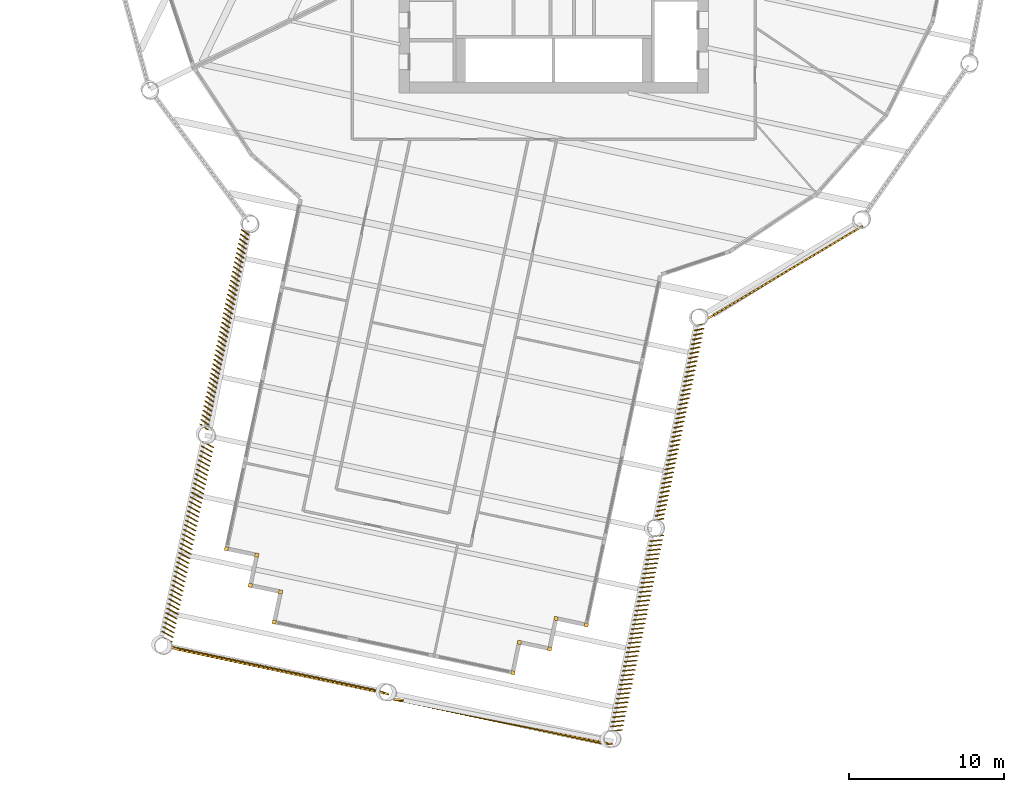
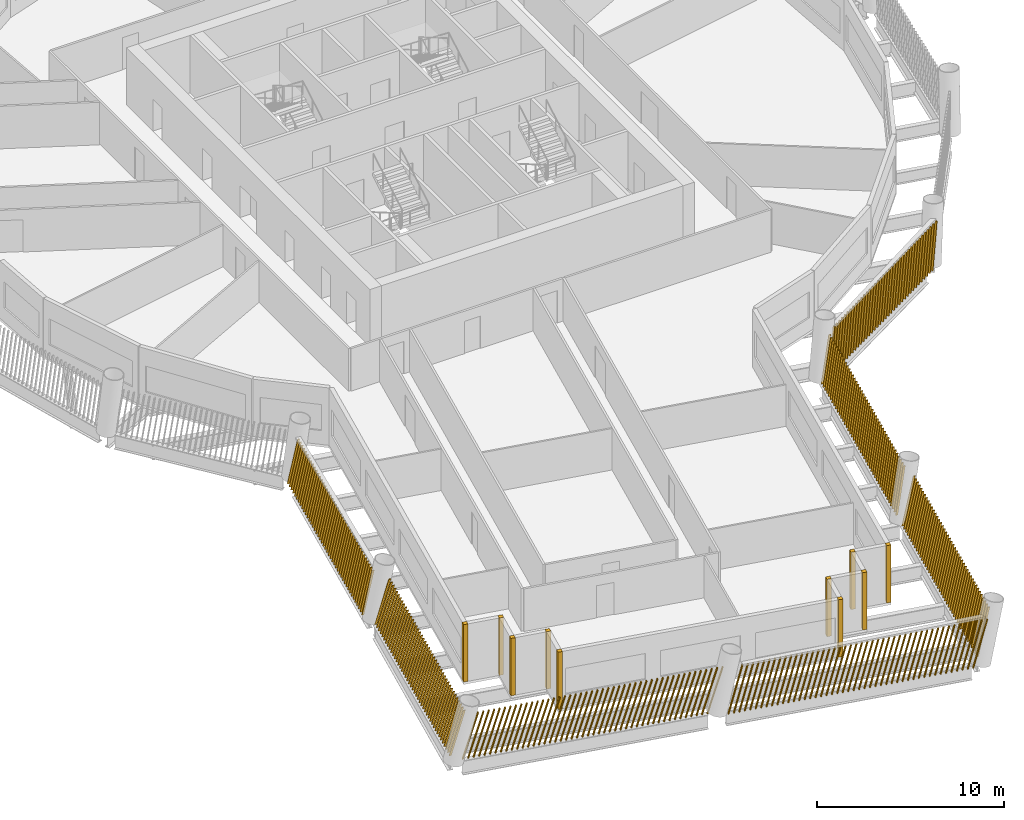
# One storey, part 11 of 15: 17 shading devices.
"""IFC4 building model written with IfcOpenShell, lengths in metres."""

from ifc_helpers import new_model, si_unit, direction, frame, frame_2d, origin, origin_2d, place, context, subcontext, project, spatial, rectangle, composite_profile, extrude, material, type_object, element, save


model = new_model("IFC4")

# Units and contexts
model_context = context("Model", 3, precision=1e-05, world=origin(), true_north=direction((0.0, 1.0)))
body_context = subcontext(model_context, "Body", "Model", "MODEL_VIEW")
ifc_project = project(units=[si_unit("LENGTHUNIT", "METRE"), si_unit("AREAUNIT", "SQUARE_METRE"), si_unit("VOLUMEUNIT", "CUBIC_METRE"), si_unit("PLANEANGLEUNIT", "RADIAN"), si_unit("MASSUNIT", "GRAM", prefix="KILO")], contexts=[model_context])

# Site, building, storey
site_placement = place(None, origin())
site = spatial("IfcSite", under=ifc_project, at=site_placement, CompositionType="ELEMENT")
building_placement = place(site_placement, origin())
building = spatial("IfcBuilding", under=site, at=building_placement, Name="Tarsis Ring Headquarters", CompositionType="ELEMENT")
storey_placement = place(building_placement, frame((0.0, 0.0, 174.89990234375)))
storey = spatial("IfcBuildingStorey", under=building, at=storey_placement, Name="L40", CompositionType="ELEMENT", Elevation=174.89990234375)

# Shading devices
ifc_material = material(Name="Terracotta baguette", Category="masonry")
shading_device_type_1 = type_object("IfcShadingDeviceType", Name="Terracotta baguette screen", PredefinedType="USERDEFINED", material=ifc_material)
shading_device_1_placement = place(storey_placement, frame((-20.12890625, -21.79736328125, 0.0), z_axis=(0.0, 0.0, 1.0), x_axis=(-0.207239767631, -0.978295835147, 0.0)))
element("IfcShadingDevice", 1, at=shading_device_1_placement, inside=storey, type_object=shading_device_type_1, Name="Baguette screen L40-01", ObjectType="Terracotta baguette screen", PredefinedType="USERDEFINED", context=body_context, shape_type="SweptSolid", body=[
    extrude(composite_profile([rectangle(XDim=0.06005859375, YDim=0.1201171875, at=frame_2d((0.030029296875, 0.0))), rectangle(XDim=0.06005859375, YDim=0.1201171875, at=frame_2d((0.335693359375, 0.0))), rectangle(XDim=0.06005859375, YDim=0.1201171875, at=frame_2d((0.6416015625, 0.0))), rectangle(XDim=0.06005859375, YDim=0.1201171875, at=frame_2d((0.947265625, 0.0))), rectangle(XDim=0.06005859375, YDim=0.1201171875, at=frame_2d((1.253173828125, 0.0))), rectangle(XDim=0.06005859375, YDim=0.1201171875, at=frame_2d((1.558837890625, 0.0))), rectangle(XDim=0.06005859375, YDim=0.1201171875, at=frame_2d((1.864501953125, 0.0))), rectangle(XDim=0.06005859375, YDim=0.1201171875, at=frame_2d((2.17041015625, 0.0))), rectangle(XDim=0.06005859375, YDim=0.1201171875, at=frame_2d((2.47607421875, 0.0))), rectangle(XDim=0.06005859375, YDim=0.1201171875, at=frame_2d((2.781982421875, 0.0))), rectangle(XDim=0.06005859375, YDim=0.1201171875, at=frame_2d((3.087646484375, 0.0))), rectangle(XDim=0.06005859375, YDim=0.1201171875, at=frame_2d((3.393310546875, 0.0))), rectangle(XDim=0.06005859375, YDim=0.1201171875, at=frame_2d((3.69921875, 0.0))), rectangle(XDim=0.06005859375, YDim=0.1201171875, at=frame_2d((4.0048828125, 0.0))), rectangle(XDim=0.06005859375, YDim=0.1201171875, at=frame_2d((4.310791015625, 0.0))), rectangle(XDim=0.06005859375, YDim=0.1201171875, at=frame_2d((4.616455078125, 0.0))), rectangle(XDim=0.06005859375, YDim=0.1201171875, at=frame_2d((4.922119140625, 0.0))), rectangle(XDim=0.06005859375, YDim=0.1201171875, at=frame_2d((5.22802734375, 0.0))), rectangle(XDim=0.06005859375, YDim=0.1201171875, at=frame_2d((5.53369140625, 0.0))), rectangle(XDim=0.06005859375, YDim=0.1201171875, at=frame_2d((5.839599609375, 0.0))), rectangle(XDim=0.06005859375, YDim=0.1201171875, at=frame_2d((6.145263671875, 0.0))), rectangle(XDim=0.06005859375, YDim=0.1201171875, at=frame_2d((6.451171875, 0.0))), rectangle(XDim=0.06005859375, YDim=0.1201171875, at=frame_2d((6.7568359375, 0.0))), rectangle(XDim=0.06005859375, YDim=0.1201171875, at=frame_2d((7.0625, 0.0))), rectangle(XDim=0.06005859375, YDim=0.1201171875, at=frame_2d((7.368408203125, 0.0))), rectangle(XDim=0.06005859375, YDim=0.1201171875, at=frame_2d((7.674072265625, 0.0))), rectangle(XDim=0.06005859375, YDim=0.1201171875, at=frame_2d((7.97998046875, 0.0))), rectangle(XDim=0.06005859375, YDim=0.1201171875, at=frame_2d((8.28564453125, 0.0))), rectangle(XDim=0.06005859375, YDim=0.1201171875, at=frame_2d((8.59130859375, 0.0))), rectangle(XDim=0.06005859375, YDim=0.1201171875, at=frame_2d((8.897216796875, 0.0))), rectangle(XDim=0.06005859375, YDim=0.1201171875, at=frame_2d((9.202880859375, 0.0))), rectangle(XDim=0.06005859375, YDim=0.1201171875, at=frame_2d((9.5087890625, 0.0))), rectangle(XDim=0.06005859375, YDim=0.1201171875, at=frame_2d((9.814453125, 0.0))), rectangle(XDim=0.06005859375, YDim=0.1201171875, at=frame_2d((10.1201171875, 0.0))), rectangle(XDim=0.06005859375, YDim=0.1201171875, at=frame_2d((10.426025390625, 0.0))), rectangle(XDim=0.06005859375, YDim=0.1201171875, at=frame_2d((10.731689453125, 0.0))), rectangle(XDim=0.06005859375, YDim=0.1201171875, at=frame_2d((11.03759765625, 0.0))), rectangle(XDim=0.06005859375, YDim=0.1201171875, at=frame_2d((11.34326171875, 0.0))), rectangle(XDim=0.06005859375, YDim=0.1201171875, at=frame_2d((11.64892578125, 0.0))), rectangle(XDim=0.06005859375, YDim=0.1201171875, at=frame_2d((11.954833984375, 0.0))), rectangle(XDim=0.06005859375, YDim=0.1201171875, at=frame_2d((12.260498046875, 0.0))), rectangle(XDim=0.06005859375, YDim=0.1201171875, at=frame_2d((12.56640625, 0.0))), rectangle(XDim=0.06005859375, YDim=0.1201171875, at=frame_2d((12.8720703125, 0.0)))]), origin(), (0.078084785349, 0.167776716183, 0.982727703794), 3.001953125),
])
shading_device_2_placement = place(storey_placement, frame((-22.64306640625, -35.4755859375, 0.0), z_axis=(0.0, 0.0, 1.0), x_axis=(-0.207239767631, -0.978295835147, 0.0)))
element("IfcShadingDevice", 2, at=shading_device_2_placement, inside=storey, type_object=shading_device_type_1, Name="Baguette screen L40-02", ObjectType="Terracotta baguette screen", PredefinedType="USERDEFINED", context=body_context, shape_type="SweptSolid", body=[
    extrude(composite_profile([rectangle(XDim=0.06005859375, YDim=0.1201171875, at=frame_2d((0.030029296875, 0.0))), rectangle(XDim=0.06005859375, YDim=0.1201171875, at=frame_2d((0.335693359375, 0.0))), rectangle(XDim=0.06005859375, YDim=0.1201171875, at=frame_2d((0.6416015625, 0.0))), rectangle(XDim=0.06005859375, YDim=0.1201171875, at=frame_2d((0.947265625, 0.0))), rectangle(XDim=0.06005859375, YDim=0.1201171875, at=frame_2d((1.253173828125, 0.0))), rectangle(XDim=0.06005859375, YDim=0.1201171875, at=frame_2d((1.558837890625, 0.0))), rectangle(XDim=0.06005859375, YDim=0.1201171875, at=frame_2d((1.864501953125, 0.0))), rectangle(XDim=0.06005859375, YDim=0.1201171875, at=frame_2d((2.17041015625, 0.0))), rectangle(XDim=0.06005859375, YDim=0.1201171875, at=frame_2d((2.47607421875, 0.0))), rectangle(XDim=0.06005859375, YDim=0.1201171875, at=frame_2d((2.781982421875, 0.0))), rectangle(XDim=0.06005859375, YDim=0.1201171875, at=frame_2d((3.087646484375, 0.0))), rectangle(XDim=0.06005859375, YDim=0.1201171875, at=frame_2d((3.393310546875, 0.0))), rectangle(XDim=0.06005859375, YDim=0.1201171875, at=frame_2d((3.69921875, 0.0))), rectangle(XDim=0.06005859375, YDim=0.1201171875, at=frame_2d((4.0048828125, 0.0))), rectangle(XDim=0.06005859375, YDim=0.1201171875, at=frame_2d((4.310791015625, 0.0))), rectangle(XDim=0.06005859375, YDim=0.1201171875, at=frame_2d((4.616455078125, 0.0))), rectangle(XDim=0.06005859375, YDim=0.1201171875, at=frame_2d((4.922119140625, 0.0))), rectangle(XDim=0.06005859375, YDim=0.1201171875, at=frame_2d((5.22802734375, 0.0))), rectangle(XDim=0.06005859375, YDim=0.1201171875, at=frame_2d((5.53369140625, 0.0))), rectangle(XDim=0.06005859375, YDim=0.1201171875, at=frame_2d((5.839599609375, 0.0))), rectangle(XDim=0.06005859375, YDim=0.1201171875, at=frame_2d((6.145263671875, 0.0))), rectangle(XDim=0.06005859375, YDim=0.1201171875, at=frame_2d((6.451171875, 0.0))), rectangle(XDim=0.06005859375, YDim=0.1201171875, at=frame_2d((6.7568359375, 0.0))), rectangle(XDim=0.06005859375, YDim=0.1201171875, at=frame_2d((7.0625, 0.0))), rectangle(XDim=0.06005859375, YDim=0.1201171875, at=frame_2d((7.368408203125, 0.0))), rectangle(XDim=0.06005859375, YDim=0.1201171875, at=frame_2d((7.674072265625, 0.0))), rectangle(XDim=0.06005859375, YDim=0.1201171875, at=frame_2d((7.97998046875, 0.0))), rectangle(XDim=0.06005859375, YDim=0.1201171875, at=frame_2d((8.28564453125, 0.0))), rectangle(XDim=0.06005859375, YDim=0.1201171875, at=frame_2d((8.59130859375, 0.0))), rectangle(XDim=0.06005859375, YDim=0.1201171875, at=frame_2d((8.897216796875, 0.0))), rectangle(XDim=0.06005859375, YDim=0.1201171875, at=frame_2d((9.202880859375, 0.0))), rectangle(XDim=0.06005859375, YDim=0.1201171875, at=frame_2d((9.5087890625, 0.0))), rectangle(XDim=0.06005859375, YDim=0.1201171875, at=frame_2d((9.814453125, 0.0))), rectangle(XDim=0.06005859375, YDim=0.1201171875, at=frame_2d((10.1201171875, 0.0))), rectangle(XDim=0.06005859375, YDim=0.1201171875, at=frame_2d((10.426025390625, 0.0))), rectangle(XDim=0.06005859375, YDim=0.1201171875, at=frame_2d((10.731689453125, 0.0))), rectangle(XDim=0.06005859375, YDim=0.1201171875, at=frame_2d((11.03759765625, 0.0))), rectangle(XDim=0.06005859375, YDim=0.1201171875, at=frame_2d((11.34326171875, 0.0))), rectangle(XDim=0.06005859375, YDim=0.1201171875, at=frame_2d((11.64892578125, 0.0))), rectangle(XDim=0.06005859375, YDim=0.1201171875, at=frame_2d((11.954833984375, 0.0))), rectangle(XDim=0.06005859375, YDim=0.1201171875, at=frame_2d((12.260498046875, 0.0))), rectangle(XDim=0.06005859375, YDim=0.1201171875, at=frame_2d((12.56640625, 0.0))), rectangle(XDim=0.06005859375, YDim=0.1201171875, at=frame_2d((12.8720703125, 0.0)))]), origin(), (0.074467190502, 0.237052760408, 0.968638542658), 3.045654296875),
])
shading_device_3_placement = place(storey_placement, frame((-24.93115234375, -48.6904296875, 0.0), z_axis=(0.0, 0.0, 1.0), x_axis=(0.978292406765, -0.207239402732, 0.0)))
element("IfcShadingDevice", 3, at=shading_device_3_placement, inside=storey, type_object=shading_device_type_1, Name="Baguette screen L40-03", ObjectType="Terracotta baguette screen", PredefinedType="USERDEFINED", context=body_context, shape_type="SweptSolid", body=[
    extrude(composite_profile([rectangle(XDim=0.06005859375, YDim=0.1201171875, at=frame_2d((0.030029296875, 0.0))), rectangle(XDim=0.06005859375, YDim=0.1201171875, at=frame_2d((0.33544921875, 0.0))), rectangle(XDim=0.06005859375, YDim=0.1201171875, at=frame_2d((0.640625, 0.0))), rectangle(XDim=0.06005859375, YDim=0.1201171875, at=frame_2d((0.946044921875, 0.0))), rectangle(XDim=0.06005859375, YDim=0.1201171875, at=frame_2d((1.25146484375, 0.0))), rectangle(XDim=0.06005859375, YDim=0.1201171875, at=frame_2d((1.556640625, 0.0))), rectangle(XDim=0.06005859375, YDim=0.1201171875, at=frame_2d((1.862060546875, 0.0))), rectangle(XDim=0.06005859375, YDim=0.1201171875, at=frame_2d((2.16748046875, 0.0))), rectangle(XDim=0.06005859375, YDim=0.1201171875, at=frame_2d((2.47265625, 0.0))), rectangle(XDim=0.06005859375, YDim=0.1201171875, at=frame_2d((2.778076171875, 0.0))), rectangle(XDim=0.06005859375, YDim=0.1201171875, at=frame_2d((3.08349609375, 0.0))), rectangle(XDim=0.06005859375, YDim=0.1201171875, at=frame_2d((3.388671875, 0.0))), rectangle(XDim=0.06005859375, YDim=0.1201171875, at=frame_2d((3.694091796875, 0.0))), rectangle(XDim=0.06005859375, YDim=0.1201171875, at=frame_2d((3.99951171875, 0.0))), rectangle(XDim=0.06005859375, YDim=0.1201171875, at=frame_2d((4.3046875, 0.0))), rectangle(XDim=0.06005859375, YDim=0.1201171875, at=frame_2d((4.610107421875, 0.0))), rectangle(XDim=0.06005859375, YDim=0.1201171875, at=frame_2d((4.91552734375, 0.0))), rectangle(XDim=0.06005859375, YDim=0.1201171875, at=frame_2d((5.220703125, 0.0))), rectangle(XDim=0.06005859375, YDim=0.1201171875, at=frame_2d((5.526123046875, 0.0))), rectangle(XDim=0.06005859375, YDim=0.1201171875, at=frame_2d((5.83154296875, 0.0))), rectangle(XDim=0.06005859375, YDim=0.1201171875, at=frame_2d((6.13671875, 0.0))), rectangle(XDim=0.06005859375, YDim=0.1201171875, at=frame_2d((6.442138671875, 0.0))), rectangle(XDim=0.06005859375, YDim=0.1201171875, at=frame_2d((6.74755859375, 0.0))), rectangle(XDim=0.06005859375, YDim=0.1201171875, at=frame_2d((7.052734375, 0.0))), rectangle(XDim=0.06005859375, YDim=0.1201171875, at=frame_2d((7.358154296875, 0.0))), rectangle(XDim=0.06005859375, YDim=0.1201171875, at=frame_2d((7.66357421875, 0.0))), rectangle(XDim=0.06005859375, YDim=0.1201171875, at=frame_2d((7.96875, 0.0))), rectangle(XDim=0.06005859375, YDim=0.1201171875, at=frame_2d((8.274169921875, 0.0))), rectangle(XDim=0.06005859375, YDim=0.1201171875, at=frame_2d((8.57958984375, 0.0))), rectangle(XDim=0.06005859375, YDim=0.1201171875, at=frame_2d((8.884765625, 0.0))), rectangle(XDim=0.06005859375, YDim=0.1201171875, at=frame_2d((9.190185546875, 0.0))), rectangle(XDim=0.06005859375, YDim=0.1201171875, at=frame_2d((9.49560546875, 0.0))), rectangle(XDim=0.06005859375, YDim=0.1201171875, at=frame_2d((9.80078125, 0.0))), rectangle(XDim=0.06005859375, YDim=0.1201171875, at=frame_2d((10.106201171875, 0.0))), rectangle(XDim=0.06005859375, YDim=0.1201171875, at=frame_2d((10.41162109375, 0.0))), rectangle(XDim=0.06005859375, YDim=0.1201171875, at=frame_2d((10.716796875, 0.0))), rectangle(XDim=0.06005859375, YDim=0.1201171875, at=frame_2d((11.022216796875, 0.0))), rectangle(XDim=0.06005859375, YDim=0.1201171875, at=frame_2d((11.32763671875, 0.0))), rectangle(XDim=0.06005859375, YDim=0.1201171875, at=frame_2d((11.6328125, 0.0))), rectangle(XDim=0.06005859375, YDim=0.1201171875, at=frame_2d((11.938232421875, 0.0))), rectangle(XDim=0.06005859375, YDim=0.1201171875, at=frame_2d((12.24365234375, 0.0))), rectangle(XDim=0.06005859375, YDim=0.1201171875, at=frame_2d((12.548828125, 0.0))), rectangle(XDim=0.06005859375, YDim=0.1201171875, at=frame_2d((12.854248046875, 0.0))), rectangle(XDim=0.06005859375, YDim=0.1201171875, at=frame_2d((13.15966796875, 0.0))), rectangle(XDim=0.06005859375, YDim=0.1201171875, at=frame_2d((13.46484375, 0.0))), rectangle(XDim=0.06005859375, YDim=0.1201171875, at=frame_2d((13.770263671875, 0.0)))]), origin(), (0.270729238478, -0.035774475377, 0.961990574977), 3.066650390625),
])
shading_device_4_placement = place(storey_placement, frame((-10.5302734375, -52.124267578125, 0.0), z_axis=(0.0, 0.0, 1.0), x_axis=(0.978292790801, -0.2072357364, 0.0)))
element("IfcShadingDevice", 4, at=shading_device_4_placement, inside=storey, type_object=shading_device_type_1, Name="Baguette screen L40-04", ObjectType="Terracotta baguette screen", PredefinedType="USERDEFINED", context=body_context, shape_type="SweptSolid", body=[
    extrude(composite_profile([rectangle(XDim=0.06005859375, YDim=0.1201171875, at=frame_2d((0.030029296875, 0.0))), rectangle(XDim=0.06005859375, YDim=0.1201171875, at=frame_2d((0.33544921875, 0.0))), rectangle(XDim=0.06005859375, YDim=0.1201171875, at=frame_2d((0.640625, 0.0))), rectangle(XDim=0.06005859375, YDim=0.1201171875, at=frame_2d((0.946044921875, 0.0))), rectangle(XDim=0.06005859375, YDim=0.1201171875, at=frame_2d((1.25146484375, 0.0))), rectangle(XDim=0.06005859375, YDim=0.1201171875, at=frame_2d((1.556640625, 0.0))), rectangle(XDim=0.06005859375, YDim=0.1201171875, at=frame_2d((1.862060546875, 0.0))), rectangle(XDim=0.06005859375, YDim=0.1201171875, at=frame_2d((2.16748046875, 0.0))), rectangle(XDim=0.06005859375, YDim=0.1201171875, at=frame_2d((2.47265625, 0.0))), rectangle(XDim=0.06005859375, YDim=0.1201171875, at=frame_2d((2.778076171875, 0.0))), rectangle(XDim=0.06005859375, YDim=0.1201171875, at=frame_2d((3.08349609375, 0.0))), rectangle(XDim=0.06005859375, YDim=0.1201171875, at=frame_2d((3.388671875, 0.0))), rectangle(XDim=0.06005859375, YDim=0.1201171875, at=frame_2d((3.694091796875, 0.0))), rectangle(XDim=0.06005859375, YDim=0.1201171875, at=frame_2d((3.99951171875, 0.0))), rectangle(XDim=0.06005859375, YDim=0.1201171875, at=frame_2d((4.3046875, 0.0))), rectangle(XDim=0.06005859375, YDim=0.1201171875, at=frame_2d((4.610107421875, 0.0))), rectangle(XDim=0.06005859375, YDim=0.1201171875, at=frame_2d((4.91552734375, 0.0))), rectangle(XDim=0.06005859375, YDim=0.1201171875, at=frame_2d((5.220703125, 0.0))), rectangle(XDim=0.06005859375, YDim=0.1201171875, at=frame_2d((5.526123046875, 0.0))), rectangle(XDim=0.06005859375, YDim=0.1201171875, at=frame_2d((5.83154296875, 0.0))), rectangle(XDim=0.06005859375, YDim=0.1201171875, at=frame_2d((6.13671875, 0.0))), rectangle(XDim=0.06005859375, YDim=0.1201171875, at=frame_2d((6.442138671875, 0.0))), rectangle(XDim=0.06005859375, YDim=0.1201171875, at=frame_2d((6.74755859375, 0.0))), rectangle(XDim=0.06005859375, YDim=0.1201171875, at=frame_2d((7.052734375, 0.0))), rectangle(XDim=0.06005859375, YDim=0.1201171875, at=frame_2d((7.358154296875, 0.0))), rectangle(XDim=0.06005859375, YDim=0.1201171875, at=frame_2d((7.66357421875, 0.0))), rectangle(XDim=0.06005859375, YDim=0.1201171875, at=frame_2d((7.96875, 0.0))), rectangle(XDim=0.06005859375, YDim=0.1201171875, at=frame_2d((8.274169921875, 0.0))), rectangle(XDim=0.06005859375, YDim=0.1201171875, at=frame_2d((8.57958984375, 0.0))), rectangle(XDim=0.06005859375, YDim=0.1201171875, at=frame_2d((8.884765625, 0.0))), rectangle(XDim=0.06005859375, YDim=0.1201171875, at=frame_2d((9.190185546875, 0.0))), rectangle(XDim=0.06005859375, YDim=0.1201171875, at=frame_2d((9.49560546875, 0.0))), rectangle(XDim=0.06005859375, YDim=0.1201171875, at=frame_2d((9.80078125, 0.0))), rectangle(XDim=0.06005859375, YDim=0.1201171875, at=frame_2d((10.106201171875, 0.0))), rectangle(XDim=0.06005859375, YDim=0.1201171875, at=frame_2d((10.41162109375, 0.0))), rectangle(XDim=0.06005859375, YDim=0.1201171875, at=frame_2d((10.716796875, 0.0))), rectangle(XDim=0.06005859375, YDim=0.1201171875, at=frame_2d((11.022216796875, 0.0))), rectangle(XDim=0.06005859375, YDim=0.1201171875, at=frame_2d((11.32763671875, 0.0))), rectangle(XDim=0.06005859375, YDim=0.1201171875, at=frame_2d((11.6328125, 0.0))), rectangle(XDim=0.06005859375, YDim=0.1201171875, at=frame_2d((11.938232421875, 0.0))), rectangle(XDim=0.06005859375, YDim=0.1201171875, at=frame_2d((12.24365234375, 0.0))), rectangle(XDim=0.06005859375, YDim=0.1201171875, at=frame_2d((12.548828125, 0.0))), rectangle(XDim=0.06005859375, YDim=0.1201171875, at=frame_2d((12.854248046875, 0.0))), rectangle(XDim=0.06005859375, YDim=0.1201171875, at=frame_2d((13.15966796875, 0.0))), rectangle(XDim=0.06005859375, YDim=0.1201171875, at=frame_2d((13.46484375, 0.0))), rectangle(XDim=0.06005859375, YDim=0.1201171875, at=frame_2d((13.770263671875, 0.0)))]), origin(), (0.271912135133, 0.040021468567, 0.96148950739), 3.068359375),
])
shading_device_5_placement = place(storey_placement, frame((3.640625, -54.231689453125, 0.0), z_axis=(0.0, 0.0, 1.0), x_axis=(0.207239767631, 0.978295835147, 0.0)))
element("IfcShadingDevice", 5, at=shading_device_5_placement, inside=storey, type_object=shading_device_type_1, Name="Baguette screen L40-05", ObjectType="Terracotta baguette screen", PredefinedType="USERDEFINED", context=body_context, shape_type="SweptSolid", body=[
    extrude(composite_profile([rectangle(XDim=0.06005859375, YDim=0.1201171875, at=frame_2d((0.030029296875, 0.0))), rectangle(XDim=0.06005859375, YDim=0.1201171875, at=frame_2d((0.335693359375, 0.0))), rectangle(XDim=0.06005859375, YDim=0.1201171875, at=frame_2d((0.6416015625, 0.0))), rectangle(XDim=0.06005859375, YDim=0.1201171875, at=frame_2d((0.947265625, 0.0))), rectangle(XDim=0.06005859375, YDim=0.1201171875, at=frame_2d((1.253173828125, 0.0))), rectangle(XDim=0.06005859375, YDim=0.1201171875, at=frame_2d((1.558837890625, 0.0))), rectangle(XDim=0.06005859375, YDim=0.1201171875, at=frame_2d((1.864501953125, 0.0))), rectangle(XDim=0.06005859375, YDim=0.1201171875, at=frame_2d((2.17041015625, 0.0))), rectangle(XDim=0.06005859375, YDim=0.1201171875, at=frame_2d((2.47607421875, 0.0))), rectangle(XDim=0.06005859375, YDim=0.1201171875, at=frame_2d((2.781982421875, 0.0))), rectangle(XDim=0.06005859375, YDim=0.1201171875, at=frame_2d((3.087646484375, 0.0))), rectangle(XDim=0.06005859375, YDim=0.1201171875, at=frame_2d((3.393310546875, 0.0))), rectangle(XDim=0.06005859375, YDim=0.1201171875, at=frame_2d((3.69921875, 0.0))), rectangle(XDim=0.06005859375, YDim=0.1201171875, at=frame_2d((4.0048828125, 0.0))), rectangle(XDim=0.06005859375, YDim=0.1201171875, at=frame_2d((4.310791015625, 0.0))), rectangle(XDim=0.06005859375, YDim=0.1201171875, at=frame_2d((4.616455078125, 0.0))), rectangle(XDim=0.06005859375, YDim=0.1201171875, at=frame_2d((4.922119140625, 0.0))), rectangle(XDim=0.06005859375, YDim=0.1201171875, at=frame_2d((5.22802734375, 0.0))), rectangle(XDim=0.06005859375, YDim=0.1201171875, at=frame_2d((5.53369140625, 0.0))), rectangle(XDim=0.06005859375, YDim=0.1201171875, at=frame_2d((5.839599609375, 0.0))), rectangle(XDim=0.06005859375, YDim=0.1201171875, at=frame_2d((6.145263671875, 0.0))), rectangle(XDim=0.06005859375, YDim=0.1201171875, at=frame_2d((6.451171875, 0.0))), rectangle(XDim=0.06005859375, YDim=0.1201171875, at=frame_2d((6.7568359375, 0.0))), rectangle(XDim=0.06005859375, YDim=0.1201171875, at=frame_2d((7.0625, 0.0))), rectangle(XDim=0.06005859375, YDim=0.1201171875, at=frame_2d((7.368408203125, 0.0))), rectangle(XDim=0.06005859375, YDim=0.1201171875, at=frame_2d((7.674072265625, 0.0))), rectangle(XDim=0.06005859375, YDim=0.1201171875, at=frame_2d((7.97998046875, 0.0))), rectangle(XDim=0.06005859375, YDim=0.1201171875, at=frame_2d((8.28564453125, 0.0))), rectangle(XDim=0.06005859375, YDim=0.1201171875, at=frame_2d((8.59130859375, 0.0))), rectangle(XDim=0.06005859375, YDim=0.1201171875, at=frame_2d((8.897216796875, 0.0))), rectangle(XDim=0.06005859375, YDim=0.1201171875, at=frame_2d((9.202880859375, 0.0))), rectangle(XDim=0.06005859375, YDim=0.1201171875, at=frame_2d((9.5087890625, 0.0))), rectangle(XDim=0.06005859375, YDim=0.1201171875, at=frame_2d((9.814453125, 0.0))), rectangle(XDim=0.06005859375, YDim=0.1201171875, at=frame_2d((10.1201171875, 0.0))), rectangle(XDim=0.06005859375, YDim=0.1201171875, at=frame_2d((10.426025390625, 0.0))), rectangle(XDim=0.06005859375, YDim=0.1201171875, at=frame_2d((10.731689453125, 0.0))), rectangle(XDim=0.06005859375, YDim=0.1201171875, at=frame_2d((11.03759765625, 0.0))), rectangle(XDim=0.06005859375, YDim=0.1201171875, at=frame_2d((11.34326171875, 0.0))), rectangle(XDim=0.06005859375, YDim=0.1201171875, at=frame_2d((11.64892578125, 0.0))), rectangle(XDim=0.06005859375, YDim=0.1201171875, at=frame_2d((11.954833984375, 0.0))), rectangle(XDim=0.06005859375, YDim=0.1201171875, at=frame_2d((12.260498046875, 0.0))), rectangle(XDim=0.06005859375, YDim=0.1201171875, at=frame_2d((12.56640625, 0.0))), rectangle(XDim=0.06005859375, YDim=0.1201171875, at=frame_2d((12.8720703125, 0.0)))]), origin(), (0.078186516829, -0.235852288328, 0.968638511869), 3.045654296875),
])
shading_device_6_placement = place(storey_placement, frame((6.521728515625, -40.63134765625, 0.0), z_axis=(0.0, 0.0, 1.0), x_axis=(0.207216924008, 0.978296245837, 0.0)))
element("IfcShadingDevice", 6, at=shading_device_6_placement, inside=storey, type_object=shading_device_type_1, Name="Baguette screen L40-06", ObjectType="Terracotta baguette screen", PredefinedType="USERDEFINED", context=body_context, shape_type="SweptSolid", body=[
    extrude(composite_profile([rectangle(XDim=0.06005859375, YDim=0.1201171875, at=frame_2d((0.030029296875, 0.0))), rectangle(XDim=0.06005859375, YDim=0.1201171875, at=frame_2d((0.335693359375, 0.0))), rectangle(XDim=0.06005859375, YDim=0.1201171875, at=frame_2d((0.6416015625, 0.0))), rectangle(XDim=0.06005859375, YDim=0.1201171875, at=frame_2d((0.947265625, 0.0))), rectangle(XDim=0.06005859375, YDim=0.1201171875, at=frame_2d((1.253173828125, 0.0))), rectangle(XDim=0.06005859375, YDim=0.1201171875, at=frame_2d((1.558837890625, 0.0))), rectangle(XDim=0.06005859375, YDim=0.1201171875, at=frame_2d((1.864501953125, 0.0))), rectangle(XDim=0.06005859375, YDim=0.1201171875, at=frame_2d((2.17041015625, 0.0))), rectangle(XDim=0.06005859375, YDim=0.1201171875, at=frame_2d((2.47607421875, 0.0))), rectangle(XDim=0.06005859375, YDim=0.1201171875, at=frame_2d((2.781982421875, 0.0))), rectangle(XDim=0.06005859375, YDim=0.1201171875, at=frame_2d((3.087646484375, 0.0))), rectangle(XDim=0.06005859375, YDim=0.1201171875, at=frame_2d((3.393310546875, 0.0))), rectangle(XDim=0.06005859375, YDim=0.1201171875, at=frame_2d((3.69921875, 0.0))), rectangle(XDim=0.06005859375, YDim=0.1201171875, at=frame_2d((4.0048828125, 0.0))), rectangle(XDim=0.06005859375, YDim=0.1201171875, at=frame_2d((4.310791015625, 0.0))), rectangle(XDim=0.06005859375, YDim=0.1201171875, at=frame_2d((4.616455078125, 0.0))), rectangle(XDim=0.06005859375, YDim=0.1201171875, at=frame_2d((4.922119140625, 0.0))), rectangle(XDim=0.06005859375, YDim=0.1201171875, at=frame_2d((5.22802734375, 0.0))), rectangle(XDim=0.06005859375, YDim=0.1201171875, at=frame_2d((5.53369140625, 0.0))), rectangle(XDim=0.06005859375, YDim=0.1201171875, at=frame_2d((5.839599609375, 0.0))), rectangle(XDim=0.06005859375, YDim=0.1201171875, at=frame_2d((6.145263671875, 0.0))), rectangle(XDim=0.06005859375, YDim=0.1201171875, at=frame_2d((6.451171875, 0.0))), rectangle(XDim=0.06005859375, YDim=0.1201171875, at=frame_2d((6.7568359375, 0.0))), rectangle(XDim=0.06005859375, YDim=0.1201171875, at=frame_2d((7.0625, 0.0))), rectangle(XDim=0.06005859375, YDim=0.1201171875, at=frame_2d((7.368408203125, 0.0))), rectangle(XDim=0.06005859375, YDim=0.1201171875, at=frame_2d((7.674072265625, 0.0))), rectangle(XDim=0.06005859375, YDim=0.1201171875, at=frame_2d((7.97998046875, 0.0))), rectangle(XDim=0.06005859375, YDim=0.1201171875, at=frame_2d((8.28564453125, 0.0))), rectangle(XDim=0.06005859375, YDim=0.1201171875, at=frame_2d((8.59130859375, 0.0))), rectangle(XDim=0.06005859375, YDim=0.1201171875, at=frame_2d((8.897216796875, 0.0))), rectangle(XDim=0.06005859375, YDim=0.1201171875, at=frame_2d((9.202880859375, 0.0))), rectangle(XDim=0.06005859375, YDim=0.1201171875, at=frame_2d((9.5087890625, 0.0))), rectangle(XDim=0.06005859375, YDim=0.1201171875, at=frame_2d((9.814453125, 0.0))), rectangle(XDim=0.06005859375, YDim=0.1201171875, at=frame_2d((10.1201171875, 0.0))), rectangle(XDim=0.06005859375, YDim=0.1201171875, at=frame_2d((10.426025390625, 0.0))), rectangle(XDim=0.06005859375, YDim=0.1201171875, at=frame_2d((10.731689453125, 0.0))), rectangle(XDim=0.06005859375, YDim=0.1201171875, at=frame_2d((11.03759765625, 0.0))), rectangle(XDim=0.06005859375, YDim=0.1201171875, at=frame_2d((11.34326171875, 0.0))), rectangle(XDim=0.06005859375, YDim=0.1201171875, at=frame_2d((11.64892578125, 0.0))), rectangle(XDim=0.06005859375, YDim=0.1201171875, at=frame_2d((11.954833984375, 0.0))), rectangle(XDim=0.06005859375, YDim=0.1201171875, at=frame_2d((12.260498046875, 0.0))), rectangle(XDim=0.06005859375, YDim=0.1201171875, at=frame_2d((12.56640625, 0.0))), rectangle(XDim=0.06005859375, YDim=0.1201171875, at=frame_2d((12.8720703125, 0.0)))]), origin(), (0.07875977536, -0.16656987526, 0.982879125041), 3.00146484375),
])
shading_device_7_placement = place(storey_placement, frame((9.92041015625, -27.58544921875, 0.0), z_axis=(0.0, 0.0, 1.0), x_axis=(0.858600108519, 0.512664134563, 0.0)))
element("IfcShadingDevice", 7, at=shading_device_7_placement, inside=storey, type_object=shading_device_type_1, Name="Baguette screen L40-07", ObjectType="Terracotta baguette screen", PredefinedType="USERDEFINED", context=body_context, shape_type="SweptSolid", body=[
    extrude(composite_profile([rectangle(XDim=0.06005859375, YDim=0.1201171875, at=frame_2d((0.030029296875, 0.0))), rectangle(XDim=0.06005859375, YDim=0.1201171875, at=frame_2d((0.33251953125, 0.0))), rectangle(XDim=0.06005859375, YDim=0.1201171875, at=frame_2d((0.634765625, 0.0))), rectangle(XDim=0.06005859375, YDim=0.1201171875, at=frame_2d((0.937255859375, 0.0))), rectangle(XDim=0.06005859375, YDim=0.1201171875, at=frame_2d((1.239501953125, 0.0))), rectangle(XDim=0.06005859375, YDim=0.1201171875, at=frame_2d((1.5419921875, 0.0))), rectangle(XDim=0.06005859375, YDim=0.1201171875, at=frame_2d((1.844482421875, 0.0))), rectangle(XDim=0.06005859375, YDim=0.1201171875, at=frame_2d((2.146728515625, 0.0))), rectangle(XDim=0.06005859375, YDim=0.1201171875, at=frame_2d((2.44921875, 0.0))), rectangle(XDim=0.06005859375, YDim=0.1201171875, at=frame_2d((2.751708984375, 0.0))), rectangle(XDim=0.06005859375, YDim=0.1201171875, at=frame_2d((3.053955078125, 0.0))), rectangle(XDim=0.06005859375, YDim=0.1201171875, at=frame_2d((3.3564453125, 0.0))), rectangle(XDim=0.06005859375, YDim=0.1201171875, at=frame_2d((3.65869140625, 0.0))), rectangle(XDim=0.06005859375, YDim=0.1201171875, at=frame_2d((3.961181640625, 0.0))), rectangle(XDim=0.06005859375, YDim=0.1201171875, at=frame_2d((4.263671875, 0.0))), rectangle(XDim=0.06005859375, YDim=0.1201171875, at=frame_2d((4.56591796875, 0.0))), rectangle(XDim=0.06005859375, YDim=0.1201171875, at=frame_2d((4.868408203125, 0.0))), rectangle(XDim=0.06005859375, YDim=0.1201171875, at=frame_2d((5.1708984375, 0.0))), rectangle(XDim=0.06005859375, YDim=0.1201171875, at=frame_2d((5.47314453125, 0.0))), rectangle(XDim=0.06005859375, YDim=0.1201171875, at=frame_2d((5.775634765625, 0.0))), rectangle(XDim=0.06005859375, YDim=0.1201171875, at=frame_2d((6.077880859375, 0.0))), rectangle(XDim=0.06005859375, YDim=0.1201171875, at=frame_2d((6.38037109375, 0.0))), rectangle(XDim=0.06005859375, YDim=0.1201171875, at=frame_2d((6.682861328125, 0.0))), rectangle(XDim=0.06005859375, YDim=0.1201171875, at=frame_2d((6.985107421875, 0.0))), rectangle(XDim=0.06005859375, YDim=0.1201171875, at=frame_2d((7.28759765625, 0.0))), rectangle(XDim=0.06005859375, YDim=0.1201171875, at=frame_2d((7.590087890625, 0.0))), rectangle(XDim=0.06005859375, YDim=0.1201171875, at=frame_2d((7.892333984375, 0.0))), rectangle(XDim=0.06005859375, YDim=0.1201171875, at=frame_2d((8.19482421875, 0.0))), rectangle(XDim=0.06005859375, YDim=0.1201171875, at=frame_2d((8.4970703125, 0.0))), rectangle(XDim=0.06005859375, YDim=0.1201171875, at=frame_2d((8.799560546875, 0.0))), rectangle(XDim=0.06005859375, YDim=0.1201171875, at=frame_2d((9.10205078125, 0.0))), rectangle(XDim=0.06005859375, YDim=0.1201171875, at=frame_2d((9.404296875, 0.0))), rectangle(XDim=0.06005859375, YDim=0.1201171875, at=frame_2d((9.706787109375, 0.0))), rectangle(XDim=0.06005859375, YDim=0.1201171875, at=frame_2d((10.00927734375, 0.0))), rectangle(XDim=0.06005859375, YDim=0.1201171875, at=frame_2d((10.3115234375, 0.0))), rectangle(XDim=0.06005859375, YDim=0.1201171875, at=frame_2d((10.614013671875, 0.0))), rectangle(XDim=0.06005859375, YDim=0.1201171875, at=frame_2d((10.916259765625, 0.0))), rectangle(XDim=0.06005859375, YDim=0.1201171875, at=frame_2d((11.21875, 0.0)))]), origin(), (0.151414497305, 0.001189721388, 0.988469642715), 2.984619140625),
])
shading_device_type_2 = type_object("IfcShadingDeviceType", Name="Terracotta corner baguette 250x250", PredefinedType="USERDEFINED", material=ifc_material)
for number, where, z_axis, x_axis, name in (
    (8, (-21.123779296875, -42.418212890625, 0.0), (0.0, 0.0, 1.0), (-0.207228764358, -0.978292512096, 0.0), "Corner baguette L40-07"),
    (9, (-19.167236328125, -42.832763671875, 0.0), (0.0, 0.0, 1.0), (0.978292465077, -0.207228986326, 0.0), "Corner baguette L40-08"),
    (10, (-19.581787109375, -44.789306640625, 0.0), (0.0, 0.0, 1.0), (-0.207229088772, -0.978292443376, 0.0), "Corner baguette L40-09"),
    (11, (-17.625244140625, -45.203857421875, 0.0), (0.0, 0.0, 1.0), (0.978292465077, -0.207228986326, 0.0), "Corner baguette L40-10"),
    (12, (-18.03955078125, -47.160400390625, 0.0), (0.0, 0.0, 1.0), (-0.207228405795, -0.978292588049, 0.0), "Corner baguette L40-11"),
    (13, (-2.631591796875, -50.42431640625, 0.0), (0.0, 0.0, 1.0), (0.978292522946, -0.207228713135, 0.0), "Corner baguette L40-12"),
    (14, (-2.217041015625, -48.4677734375, 0.0), (0.0, 0.0, 1.0), (0.207229088772, 0.978292443376, 0.0), "Corner baguette L40-13"),
    (15, (-0.260498046875, -48.882080078125, 0.0), (0.0, 0.0, 1.0), (0.978292588049, -0.207228405795, 0.0), "Corner baguette L40-14"),
    (16, (0.154052734375, -46.925537109375, 0.0), (0.0, 0.0, 1.0), (0.207228508242, 0.978292566348, 0.0), "Corner baguette L40-15"),
    (17, (2.110595703125, -47.340087890625, 0.0), (0.0, 0.0, 1.0), (0.978292566348, -0.207228508242, 0.0), "Corner baguette L40-16"),
):
    element("IfcShadingDevice", number, at=place(storey_placement, frame(where, z_axis=z_axis, x_axis=x_axis)), inside=storey, type_object=shading_device_type_2, Name=name, ObjectType="Terracotta corner baguette", PredefinedType="USERDEFINED", context=body_context, shape_type="SweptSolid", body=[
        extrude(rectangle(XDim=0.25, YDim=0.25, at=origin_2d()), origin(), (0.0, 0.0, 1.0), 3.739990234375),
    ])

save(model, "model.ifc")
